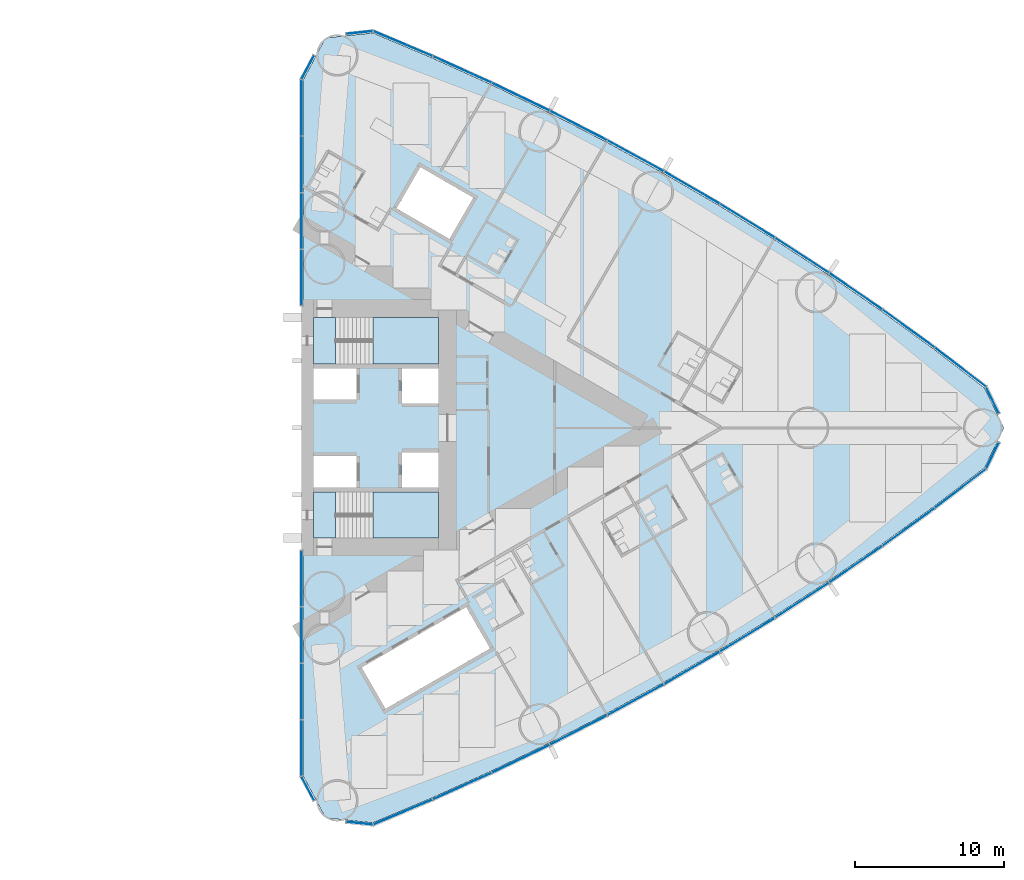
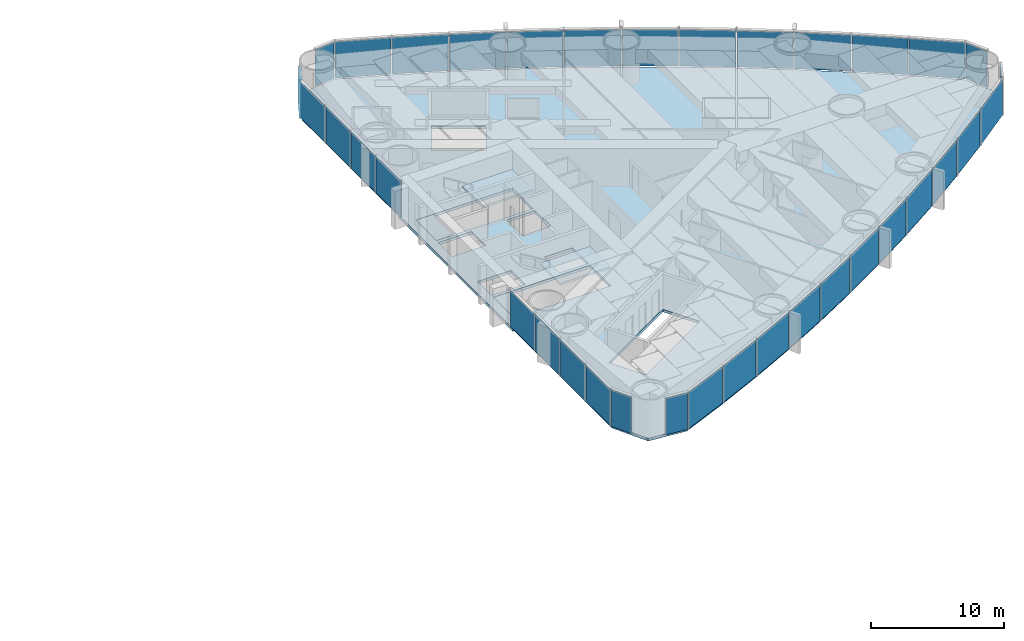
# One storey, part 10 of 18: 36 plates, 5 slabs, 6 elements without a shape of their own.
"""IFC4 building model written with IfcOpenShell, lengths in metres."""

from ifc_helpers import new_model, si_unit, direction, frame, origin, origin_2d, place, context, subcontext, project, spatial, polyline, rectangle, outline, extrude, material, layer, layer_set, type_object, element, aggregate, save


model = new_model("IFC4")

# Units and contexts
model_context = context("Model", 3, precision=1e-05, world=origin(), true_north=direction((0.0, 1.0)))
body_context = subcontext(model_context, "Body", "Model", "MODEL_VIEW")
ifc_project = project(units=[si_unit("LENGTHUNIT", "METRE"), si_unit("AREAUNIT", "SQUARE_METRE"), si_unit("VOLUMEUNIT", "CUBIC_METRE"), si_unit("PLANEANGLEUNIT", "RADIAN"), si_unit("MASSUNIT", "GRAM", prefix="KILO")], contexts=[model_context])

# Site, building, storey
site_placement = place(None, origin())
site = spatial("IfcSite", under=ifc_project, at=site_placement, CompositionType="ELEMENT")
building_placement = place(site_placement, origin())
building = spatial("IfcBuilding", under=site, at=building_placement, Name="Lancet Gate Hotel", CompositionType="ELEMENT")
storey_placement = place(building_placement, frame((0.0, 0.0, 49.5)))
storey = spatial("IfcBuildingStorey", under=building, at=storey_placement, Name="L12", CompositionType="ELEMENT", Elevation=49.5)

# Slab
ifc_material_1 = material(Name="Concrete C50/60", Category="concrete")
ifc_layer_1 = layer(ifc_material_1, 0.25)
ifc_layer_set_1 = layer_set([ifc_layer_1], Name="Floor slab 250")
slab_type_1 = type_object("IfcSlabType", Name="Floor slab 250", PredefinedType="FLOOR", material=ifc_layer_set_1)
slab_1_placement = place(storey_placement, frame((0.0, 0.0, -0.25)))
element("IfcSlab", 1, at=slab_1_placement, inside=storey, type_object=slab_type_1, Name="T2 L12 floor slab", PredefinedType="FLOOR", context=body_context, shape_type="SweptSolid", body=[
    extrude(outline(polyline([(27.5, -8.60009765625), (27.6201171875, -8.60009765625), (27.6201171875, -23.35498046875), (29.12158203125, -26.175537109375), (32.299072265625, -26.5048828125), (36.26708984375, -24.833740234375), (40.2177734375, -23.050048828125), (44.121826171875, -21.16650390625), (47.9765625, -19.18408203125), (51.77978515625, -17.104248046875), (55.528564453125, -14.92822265625), (59.220947265625, -12.657470703125), (62.854248046875, -10.29345703125), (66.42626953125, -7.837890625), (69.934814453125, -5.292236328125), (73.355712890625, -2.67431640625), (74.65576171875, 0.0), (73.355712890625, 2.67431640625), (69.934814453125, 5.292236328125), (66.42626953125, 7.837890625), (62.854248046875, 10.29345703125), (59.220947265625, 12.657470703125), (55.528564453125, 14.92822265625), (51.77978515625, 17.104248046875), (47.9765625, 19.18408203125), (44.121826171875, 21.16650390625), (40.2177734375, 23.050048828125), (36.26708984375, 24.833740234375), (32.299072265625, 26.5048828125), (29.12158203125, 26.175537109375), (27.6201171875, 23.35498046875), (27.6201171875, 8.60009765625), (27.5, 8.60009765625), (27.5, 8.199951171875), (27.5, -8.199951171875), (27.5, -8.60009765625)]), holes=[polyline([(36.699951171875, -7.39990234375), (36.699951171875, -4.300048828125), (28.300048828125, -4.300048828125), (28.300048828125, -7.39990234375), (36.699951171875, -7.39990234375)]), polyline([(28.300048828125, -4.0), (31.199951171875, -4.0), (31.199951171875, -1.89990234375), (28.300048828125, -1.89990234375), (28.300048828125, -4.0)]), polyline([(34.25, -4.0), (36.699951171875, -4.0), (36.699951171875, -1.64990234375), (34.25, -1.64990234375), (34.25, -4.0)]), polyline([(36.699951171875, 1.64990234375), (36.699951171875, 4.0), (34.25, 4.0), (34.25, 1.64990234375), (36.699951171875, 1.64990234375)]), polyline([(28.300048828125, 1.89990234375), (31.199951171875, 1.89990234375), (31.199951171875, 4.0), (28.300048828125, 4.0), (28.300048828125, 1.89990234375)]), polyline([(28.300048828125, 4.300048828125), (36.699951171875, 4.300048828125), (36.699951171875, 7.39990234375), (28.300048828125, 7.39990234375), (28.300048828125, 4.300048828125)]), polyline([(31.549072265625, -16.0810546875), (33.14892578125, -18.85205078125), (40.1640625, -14.802001953125), (38.56396484375, -12.031005859375), (31.549072265625, -16.0810546875)]), polyline([(33.887939453125, 14.73095703125), (37.43798828125, 12.680908203125), (39.0380859375, 15.451904296875), (35.488037109375, 17.501953125), (33.887939453125, 14.73095703125)])]), origin(), (0.0, 0.0, 1.0), 0.25),
])

# Stair, slabs
ifc_material_2 = material(Name="Exit stair 20 risers 1500")
stair_type = type_object("IfcStairType", Name="Exit stair 20 risers 1500", PredefinedType="HALF_TURN_STAIR", material=ifc_material_2)
stair_1_placement = place(storey_placement, origin())
stair_1 = element("IfcStair", 2, at=stair_1_placement, inside=storey, type_object=stair_type, Name="T2 stair 1 L12", PredefinedType="HALF_TURN_STAIR")
ifc_material_3 = material(Name="Concrete C40/50", Category="concrete")
ifc_layer_2 = layer(ifc_material_3, 0.199951171875)
ifc_layer_set_2 = layer_set([ifc_layer_2], Name="Stair landing 200")
slab_type_2 = type_object("IfcSlabType", Name="Stair landing 200", PredefinedType="LANDING", material=ifc_layer_set_2)
slab_2_placement = place(storey_placement, frame((0.0, 0.0, -0.199951171875)))
slab_2 = element("IfcSlab", 3, at=slab_2_placement, type_object=slab_type_2, Name="ST3 landing 1", PredefinedType="LANDING", context=body_context, shape_type="SweptSolid", body=[
    extrude(outline(polyline([(28.300048828125, -7.39990234375), (29.800048828125, -7.39990234375), (29.800048828125, -4.300048828125), (28.300048828125, -4.300048828125), (28.300048828125, -7.39990234375)])), origin(), (0.0, 0.0, 1.0), 0.199951171875),
])
slab_3_placement = place(storey_placement, frame((0.0, 0.0, 1.550048828125)))
slab_3 = element("IfcSlab", 4, at=slab_3_placement, type_object=slab_type_2, Name="ST3 landing 2", PredefinedType="LANDING", context=body_context, shape_type="SweptSolid", body=[
    extrude(outline(polyline([(32.320068359375, -7.39990234375), (36.699951171875, -7.39990234375), (36.699951171875, -4.300048828125), (32.320068359375, -4.300048828125), (32.320068359375, -7.39990234375)])), origin(), (0.0, 0.0, 1.0), 0.199951171875),
])
aggregate(stair_1, [slab_2, slab_3])

stair_2_placement = place(storey_placement, origin())
stair_2 = element("IfcStair", 5, at=stair_2_placement, inside=storey, type_object=stair_type, Name="T2 stair 2 L12", PredefinedType="HALF_TURN_STAIR")
slab_4_placement = place(storey_placement, frame((0.0, 0.0, -0.199951171875)))
slab_4 = element("IfcSlab", 6, at=slab_4_placement, type_object=slab_type_2, Name="ST4 landing 1", PredefinedType="LANDING", context=body_context, shape_type="SweptSolid", body=[
    extrude(outline(polyline([(28.300048828125, 4.300048828125), (29.800048828125, 4.300048828125), (29.800048828125, 7.39990234375), (28.300048828125, 7.39990234375), (28.300048828125, 4.300048828125)])), origin(), (0.0, 0.0, 1.0), 0.199951171875),
])
slab_5_placement = place(storey_placement, frame((0.0, 0.0, 1.550048828125)))
slab_5 = element("IfcSlab", 7, at=slab_5_placement, type_object=slab_type_2, Name="ST4 landing 2", PredefinedType="LANDING", context=body_context, shape_type="SweptSolid", body=[
    extrude(outline(polyline([(32.320068359375, 4.300048828125), (36.699951171875, 4.300048828125), (36.699951171875, 7.39990234375), (32.320068359375, 7.39990234375), (32.320068359375, 4.300048828125)])), origin(), (0.0, 0.0, 1.0), 0.199951171875),
])
aggregate(stair_2, [slab_4, slab_5])

# Curtain wall, plates
ifc_material_4 = material(Name="Aluminium curtain wall", Category="aluminium")
curtain_wall_type = type_object("IfcCurtainWallType", Name="Tower unitised curtain wall", PredefinedType="USERDEFINED", material=ifc_material_4)
curtain_wall_1_placement = place(storey_placement, origin())
curtain_wall_1 = element("IfcCurtainWall", 8, at=curtain_wall_1_placement, inside=storey, type_object=curtain_wall_type, Name="T2 L12 curtain wall 1", ObjectType="UNITISED CURTAIN WALL", PredefinedType="USERDEFINED")
ifc_material_5 = material(Name="Glass double glazed unit 8-16-6", Category="glass")
ifc_layer_3 = layer(ifc_material_5, 0.030029296875)
ifc_layer_set_3 = layer_set([ifc_layer_3], Name="Vision panel double glazed")
plate_type = type_object("IfcPlateType", Name="Vision panel double glazed", PredefinedType="CURTAIN_PANEL", material=ifc_layer_set_3)
plate_1_placement = place(storey_placement, frame((27.5, -10.09814453125, 0.0), z_axis=(0.0, 0.0, 1.0), x_axis=(0.0, -1.0, 0.0)))
plate_1 = element("IfcPlate", 9, at=plate_1_placement, type_object=plate_type, Name="T2 L12 curtain wall 1 panel 1", PredefinedType="CURTAIN_PANEL", context=body_context, shape_type="SweptSolid", body=[
    extrude(rectangle(XDim=3.731201171875, YDim=0.030029296875, at=origin_2d()), origin(), (0.0, 0.0, 1.0), 3.35009765625),
])
plate_2_placement = place(storey_placement, frame((27.5, -13.894287109375, 0.0), z_axis=(0.0, 0.0, 1.0), x_axis=(0.0, -1.0, 0.0)))
plate_2 = element("IfcPlate", 10, at=plate_2_placement, type_object=plate_type, Name="T2 L12 curtain wall 1 panel 2", PredefinedType="CURTAIN_PANEL", context=body_context, shape_type="SweptSolid", body=[
    extrude(rectangle(XDim=3.731201171875, YDim=0.030029296875, at=origin_2d()), origin(), (0.0, 0.0, 1.0), 3.35009765625),
])
plate_3_placement = place(storey_placement, frame((27.5, -17.6904296875, 0.0), z_axis=(0.0, 0.0, 1.0), x_axis=(0.0, -1.0, 0.0)))
plate_3 = element("IfcPlate", 11, at=plate_3_placement, type_object=plate_type, Name="T2 L12 curtain wall 1 panel 3", PredefinedType="CURTAIN_PANEL", context=body_context, shape_type="SweptSolid", body=[
    extrude(rectangle(XDim=3.731201171875, YDim=0.030029296875, at=origin_2d()), origin(), (0.0, 0.0, 1.0), 3.35009765625),
])
plate_4_placement = place(storey_placement, frame((27.5, -21.48681640625, 0.0), z_axis=(0.0, 0.0, 1.0), x_axis=(0.0, -1.0, 0.0)))
plate_4 = element("IfcPlate", 12, at=plate_4_placement, type_object=plate_type, Name="T2 L12 curtain wall 1 panel 4", PredefinedType="CURTAIN_PANEL", context=body_context, shape_type="SweptSolid", body=[
    extrude(rectangle(XDim=3.731201171875, YDim=0.030029296875, at=origin_2d()), origin(), (0.0, 0.0, 1.0), 3.35009765625),
])
plate_5_placement = place(storey_placement, frame((27.933349609375, -24.19873046875, 0.0), z_axis=(0.0, 0.0, 1.0), x_axis=(0.469897827284, -0.882720811987, 0.0)))
plate_5 = element("IfcPlate", 13, at=plate_5_placement, type_object=plate_type, Name="T2 L12 curtain wall 1 panel 5", PredefinedType="CURTAIN_PANEL", context=body_context, shape_type="SweptSolid", body=[
    extrude(rectangle(XDim=1.779052734375, YDim=0.030029296875, at=origin_2d()), origin(), (0.0, 0.0, 1.0), 3.35009765625),
])
aggregate(curtain_wall_1, [plate_1, plate_2, plate_3, plate_4, plate_5])

curtain_wall_2_placement = place(storey_placement, origin())
curtain_wall_2 = element("IfcCurtainWall", 14, at=curtain_wall_2_placement, inside=storey, type_object=curtain_wall_type, Name="T2 L12 curtain wall 2", ObjectType="UNITISED CURTAIN WALL", PredefinedType="USERDEFINED")
plate_6_placement = place(storey_placement, frame((31.400634765625, -26.532470703125, 0.0), z_axis=(0.0, 0.0, 1.0), x_axis=(0.994672262412, -0.10308778001, 0.0)))
plate_6 = element("IfcPlate", 15, at=plate_6_placement, type_object=plate_type, Name="T2 L12 curtain wall 2 panel 1", PredefinedType="CURTAIN_PANEL", context=body_context, shape_type="SweptSolid", body=[
    extrude(rectangle(XDim=1.7783203125, YDim=0.030029296875, at=origin_2d()), origin(), (0.0, 0.0, 1.0), 3.35009765625),
])
plate_7_placement = place(storey_placement, frame((34.316162109375, -25.78564453125, 0.0), z_axis=(0.0, 0.0, 1.0), x_axis=(0.92159330598, 0.38815689917, 0.0)))
plate_7 = element("IfcPlate", 16, at=plate_7_placement, type_object=plate_type, Name="T2 L12 curtain wall 2 panel 2", PredefinedType="CURTAIN_PANEL", context=body_context, shape_type="SweptSolid", body=[
    extrude(rectangle(XDim=4.272705078125, YDim=0.030029296875, at=origin_2d()), origin(), (0.0, 0.0, 1.0), 3.35009765625),
])
plate_8_placement = place(storey_placement, frame((38.291748046875, -24.05126953125, 0.0), z_axis=(0.0, 0.0, 1.0), x_axis=(0.911415640556, 0.41148697446, 0.0)))
plate_8 = element("IfcPlate", 17, at=plate_8_placement, type_object=plate_type, Name="T2 L12 curtain wall 2 panel 3", PredefinedType="CURTAIN_PANEL", context=body_context, shape_type="SweptSolid", body=[
    extrude(rectangle(XDim=4.272705078125, YDim=0.030029296875, at=origin_2d()), origin(), (0.0, 0.0, 1.0), 3.35009765625),
])
plate_9_placement = place(storey_placement, frame((42.221923828125, -22.21630859375, 0.0), z_axis=(0.0, 0.0, 1.0), x_axis=(0.90064748964, 0.434550456686, 0.0)))
plate_9 = element("IfcPlate", 18, at=plate_9_placement, type_object=plate_type, Name="T2 L12 curtain wall 2 panel 4", PredefinedType="CURTAIN_PANEL", context=body_context, shape_type="SweptSolid", body=[
    extrude(rectangle(XDim=4.272705078125, YDim=0.030029296875, at=origin_2d()), origin(), (0.0, 0.0, 1.0), 3.35009765625),
])
plate_10_placement = place(storey_placement, frame((46.10400390625, -20.281982421875, 0.0), z_axis=(0.0, 0.0, 1.0), x_axis=(0.889295829671, 0.457332403541, 0.0)))
plate_10 = element("IfcPlate", 19, at=plate_10_placement, type_object=plate_type, Name="T2 L12 curtain wall 2 panel 5", PredefinedType="CURTAIN_PANEL", context=body_context, shape_type="SweptSolid", body=[
    extrude(rectangle(XDim=4.272705078125, YDim=0.030029296875, at=origin_2d()), origin(), (0.0, 0.0, 1.0), 3.35009765625),
])
plate_11_placement = place(storey_placement, frame((49.935791015625, -18.249267578125, 0.0), z_axis=(0.0, 0.0, 1.0), x_axis=(0.877368015134, 0.47981805512, 0.0)))
plate_11 = element("IfcPlate", 20, at=plate_11_placement, type_object=plate_type, Name="T2 L12 curtain wall 2 panel 6", PredefinedType="CURTAIN_PANEL", context=body_context, shape_type="SweptSolid", body=[
    extrude(rectangle(XDim=4.272705078125, YDim=0.030029296875, at=origin_2d()), origin(), (0.0, 0.0, 1.0), 3.35009765625),
])
plate_12_placement = place(storey_placement, frame((53.71435546875, -16.119873046875, 0.0), z_axis=(0.0, 0.0, 1.0), x_axis=(0.864871773788, 0.501992843479, 0.0)))
plate_12 = element("IfcPlate", 21, at=plate_12_placement, type_object=plate_type, Name="T2 L12 curtain wall 2 panel 7", PredefinedType="CURTAIN_PANEL", context=body_context, shape_type="SweptSolid", body=[
    extrude(rectangle(XDim=4.272705078125, YDim=0.030029296875, at=origin_2d()), origin(), (0.0, 0.0, 1.0), 3.35009765625),
])
plate_13_placement = place(storey_placement, frame((57.437744140625, -13.89501953125, 0.0), z_axis=(0.0, 0.0, 1.0), x_axis=(0.851815201664, 0.523842402077, 0.0)))
plate_13 = element("IfcPlate", 22, at=plate_13_placement, type_object=plate_type, Name="T2 L12 curtain wall 2 panel 8", PredefinedType="CURTAIN_PANEL", context=body_context, shape_type="SweptSolid", body=[
    extrude(rectangle(XDim=4.272705078125, YDim=0.030029296875, at=origin_2d()), origin(), (0.0, 0.0, 1.0), 3.35009765625),
])
plate_14_placement = place(storey_placement, frame((61.10302734375, -11.576171875, 0.0), z_axis=(0.0, 0.0, 1.0), x_axis=(0.838206757819, 0.54535257508, 0.0)))
plate_14 = element("IfcPlate", 23, at=plate_14_placement, type_object=plate_type, Name="T2 L12 curtain wall 2 panel 9", PredefinedType="CURTAIN_PANEL", context=body_context, shape_type="SweptSolid", body=[
    extrude(rectangle(XDim=4.272705078125, YDim=0.030029296875, at=origin_2d()), origin(), (0.0, 0.0, 1.0), 3.35009765625),
])
plate_15_placement = place(storey_placement, frame((64.708251953125, -9.16455078125, 0.0), z_axis=(0.0, 0.0, 1.0), x_axis=(0.824055258853, 0.566509426538, 0.0)))
plate_15 = element("IfcPlate", 24, at=plate_15_placement, type_object=plate_type, Name="T2 L12 curtain wall 2 panel 10", PredefinedType="CURTAIN_PANEL", context=body_context, shape_type="SweptSolid", body=[
    extrude(rectangle(XDim=4.272705078125, YDim=0.030029296875, at=origin_2d()), origin(), (0.0, 0.0, 1.0), 3.35009765625),
])
plate_16_placement = place(storey_placement, frame((68.2509765625, -6.662109375, 0.0), z_axis=(0.0, 0.0, 1.0), x_axis=(0.809369873203, 0.587299249405, 0.0)))
plate_16 = element("IfcPlate", 25, at=plate_16_placement, type_object=plate_type, Name="T2 L12 curtain wall 2 panel 11", PredefinedType="CURTAIN_PANEL", context=body_context, shape_type="SweptSolid", body=[
    extrude(rectangle(XDim=4.272705078125, YDim=0.030029296875, at=origin_2d()), origin(), (0.0, 0.0, 1.0), 3.35009765625),
])
plate_17_placement = place(storey_placement, frame((71.72900390625, -4.0703125, 0.0), z_axis=(0.0, 0.0, 1.0), x_axis=(0.794160115195, 0.607708574428, 0.0)))
plate_17 = element("IfcPlate", 26, at=plate_17_placement, type_object=plate_type, Name="T2 L12 curtain wall 2 panel 12", PredefinedType="CURTAIN_PANEL", context=body_context, shape_type="SweptSolid", body=[
    extrude(rectangle(XDim=4.272705078125, YDim=0.030029296875, at=origin_2d()), origin(), (0.0, 0.0, 1.0), 3.35009765625),
])
plate_18_placement = place(storey_placement, frame((73.88671875, -1.856201171875, 0.0), z_axis=(0.0, 0.0, 1.0), x_axis=(0.437169070119, 0.899379343843, 0.0)))
plate_18 = element("IfcPlate", 27, at=plate_18_placement, type_object=plate_type, Name="T2 L12 curtain wall 2 panel 13", PredefinedType="CURTAIN_PANEL", context=body_context, shape_type="SweptSolid", body=[
    extrude(rectangle(XDim=1.92724609375, YDim=0.030029296875, at=origin_2d()), origin(), (0.0, 0.0, 1.0), 3.35009765625),
])
aggregate(curtain_wall_2, [plate_6, plate_7, plate_8, plate_9, plate_10, plate_11, plate_12, plate_13, plate_14, plate_15, plate_16, plate_17, plate_18])

curtain_wall_3_placement = place(storey_placement, origin())
curtain_wall_3 = element("IfcCurtainWall", 28, at=curtain_wall_3_placement, inside=storey, type_object=curtain_wall_type, Name="T2 L12 curtain wall 3", ObjectType="UNITISED CURTAIN WALL", PredefinedType="USERDEFINED")
plate_19_placement = place(storey_placement, frame((73.88671875, 1.856201171875, 0.0), z_axis=(0.0, 0.0, 1.0), x_axis=(-0.437169070119, 0.899379343843, 0.0)))
plate_19 = element("IfcPlate", 29, at=plate_19_placement, type_object=plate_type, Name="T2 L12 curtain wall 3 panel 1", PredefinedType="CURTAIN_PANEL", context=body_context, shape_type="SweptSolid", body=[
    extrude(rectangle(XDim=1.92724609375, YDim=0.030029296875, at=origin_2d()), origin(), (0.0, 0.0, 1.0), 3.35009765625),
])
plate_20_placement = place(storey_placement, frame((71.72900390625, 4.0703125, 0.0), z_axis=(0.0, 0.0, 1.0), x_axis=(-0.794160115195, 0.607708574428, 0.0)))
plate_20 = element("IfcPlate", 30, at=plate_20_placement, type_object=plate_type, Name="T2 L12 curtain wall 3 panel 2", PredefinedType="CURTAIN_PANEL", context=body_context, shape_type="SweptSolid", body=[
    extrude(rectangle(XDim=4.272705078125, YDim=0.030029296875, at=origin_2d()), origin(), (0.0, 0.0, 1.0), 3.35009765625),
])
plate_21_placement = place(storey_placement, frame((68.2509765625, 6.662109375, 0.0), z_axis=(0.0, 0.0, 1.0), x_axis=(-0.809369873203, 0.587299249405, 0.0)))
plate_21 = element("IfcPlate", 31, at=plate_21_placement, type_object=plate_type, Name="T2 L12 curtain wall 3 panel 3", PredefinedType="CURTAIN_PANEL", context=body_context, shape_type="SweptSolid", body=[
    extrude(rectangle(XDim=4.272705078125, YDim=0.030029296875, at=origin_2d()), origin(), (0.0, 0.0, 1.0), 3.35009765625),
])
plate_22_placement = place(storey_placement, frame((64.708251953125, 9.16455078125, 0.0), z_axis=(0.0, 0.0, 1.0), x_axis=(-0.824055258853, 0.566509426538, 0.0)))
plate_22 = element("IfcPlate", 32, at=plate_22_placement, type_object=plate_type, Name="T2 L12 curtain wall 3 panel 4", PredefinedType="CURTAIN_PANEL", context=body_context, shape_type="SweptSolid", body=[
    extrude(rectangle(XDim=4.272705078125, YDim=0.030029296875, at=origin_2d()), origin(), (0.0, 0.0, 1.0), 3.35009765625),
])
plate_23_placement = place(storey_placement, frame((61.10302734375, 11.576171875, 0.0), z_axis=(0.0, 0.0, 1.0), x_axis=(-0.838206757819, 0.54535257508, 0.0)))
plate_23 = element("IfcPlate", 33, at=plate_23_placement, type_object=plate_type, Name="T2 L12 curtain wall 3 panel 5", PredefinedType="CURTAIN_PANEL", context=body_context, shape_type="SweptSolid", body=[
    extrude(rectangle(XDim=4.272705078125, YDim=0.030029296875, at=origin_2d()), origin(), (0.0, 0.0, 1.0), 3.35009765625),
])
plate_24_placement = place(storey_placement, frame((57.437744140625, 13.89501953125, 0.0), z_axis=(0.0, 0.0, 1.0), x_axis=(-0.851815201664, 0.523842402077, 0.0)))
plate_24 = element("IfcPlate", 34, at=plate_24_placement, type_object=plate_type, Name="T2 L12 curtain wall 3 panel 6", PredefinedType="CURTAIN_PANEL", context=body_context, shape_type="SweptSolid", body=[
    extrude(rectangle(XDim=4.272705078125, YDim=0.030029296875, at=origin_2d()), origin(), (0.0, 0.0, 1.0), 3.35009765625),
])
plate_25_placement = place(storey_placement, frame((53.71435546875, 16.119873046875, 0.0), z_axis=(0.0, 0.0, 1.0), x_axis=(-0.864871773788, 0.501992843479, 0.0)))
plate_25 = element("IfcPlate", 35, at=plate_25_placement, type_object=plate_type, Name="T2 L12 curtain wall 3 panel 7", PredefinedType="CURTAIN_PANEL", context=body_context, shape_type="SweptSolid", body=[
    extrude(rectangle(XDim=4.272705078125, YDim=0.030029296875, at=origin_2d()), origin(), (0.0, 0.0, 1.0), 3.35009765625),
])
plate_26_placement = place(storey_placement, frame((49.935791015625, 18.249267578125, 0.0), z_axis=(0.0, 0.0, 1.0), x_axis=(-0.877368015134, 0.47981805512, 0.0)))
plate_26 = element("IfcPlate", 36, at=plate_26_placement, type_object=plate_type, Name="T2 L12 curtain wall 3 panel 8", PredefinedType="CURTAIN_PANEL", context=body_context, shape_type="SweptSolid", body=[
    extrude(rectangle(XDim=4.272705078125, YDim=0.030029296875, at=origin_2d()), origin(), (0.0, 0.0, 1.0), 3.35009765625),
])
plate_27_placement = place(storey_placement, frame((46.10400390625, 20.281982421875, 0.0), z_axis=(0.0, 0.0, 1.0), x_axis=(-0.889295829671, 0.457332403541, 0.0)))
plate_27 = element("IfcPlate", 37, at=plate_27_placement, type_object=plate_type, Name="T2 L12 curtain wall 3 panel 9", PredefinedType="CURTAIN_PANEL", context=body_context, shape_type="SweptSolid", body=[
    extrude(rectangle(XDim=4.272705078125, YDim=0.030029296875, at=origin_2d()), origin(), (0.0, 0.0, 1.0), 3.35009765625),
])
plate_28_placement = place(storey_placement, frame((42.221923828125, 22.21630859375, 0.0), z_axis=(0.0, 0.0, 1.0), x_axis=(-0.90064748964, 0.434550456686, 0.0)))
plate_28 = element("IfcPlate", 38, at=plate_28_placement, type_object=plate_type, Name="T2 L12 curtain wall 3 panel 10", PredefinedType="CURTAIN_PANEL", context=body_context, shape_type="SweptSolid", body=[
    extrude(rectangle(XDim=4.272705078125, YDim=0.030029296875, at=origin_2d()), origin(), (0.0, 0.0, 1.0), 3.35009765625),
])
plate_29_placement = place(storey_placement, frame((38.291748046875, 24.05126953125, 0.0), z_axis=(0.0, 0.0, 1.0), x_axis=(-0.911415640556, 0.41148697446, 0.0)))
plate_29 = element("IfcPlate", 39, at=plate_29_placement, type_object=plate_type, Name="T2 L12 curtain wall 3 panel 11", PredefinedType="CURTAIN_PANEL", context=body_context, shape_type="SweptSolid", body=[
    extrude(rectangle(XDim=4.272705078125, YDim=0.030029296875, at=origin_2d()), origin(), (0.0, 0.0, 1.0), 3.35009765625),
])
plate_30_placement = place(storey_placement, frame((34.316162109375, 25.78564453125, 0.0), z_axis=(0.0, 0.0, 1.0), x_axis=(-0.92159330598, 0.38815689917, 0.0)))
plate_30 = element("IfcPlate", 40, at=plate_30_placement, type_object=plate_type, Name="T2 L12 curtain wall 3 panel 12", PredefinedType="CURTAIN_PANEL", context=body_context, shape_type="SweptSolid", body=[
    extrude(rectangle(XDim=4.272705078125, YDim=0.030029296875, at=origin_2d()), origin(), (0.0, 0.0, 1.0), 3.35009765625),
])
plate_31_placement = place(storey_placement, frame((31.400634765625, 26.532470703125, 0.0), z_axis=(0.0, 0.0, 1.0), x_axis=(-0.994672262412, -0.10308778001, 0.0)))
plate_31 = element("IfcPlate", 41, at=plate_31_placement, type_object=plate_type, Name="T2 L12 curtain wall 3 panel 13", PredefinedType="CURTAIN_PANEL", context=body_context, shape_type="SweptSolid", body=[
    extrude(rectangle(XDim=1.7783203125, YDim=0.030029296875, at=origin_2d()), origin(), (0.0, 0.0, 1.0), 3.35009765625),
])
aggregate(curtain_wall_3, [plate_19, plate_20, plate_21, plate_22, plate_23, plate_24, plate_25, plate_26, plate_27, plate_28, plate_29, plate_30, plate_31])

curtain_wall_4_placement = place(storey_placement, origin())
curtain_wall_4 = element("IfcCurtainWall", 42, at=curtain_wall_4_placement, inside=storey, type_object=curtain_wall_type, Name="T2 L12 curtain wall 4", ObjectType="UNITISED CURTAIN WALL", PredefinedType="USERDEFINED")
plate_32_placement = place(storey_placement, frame((27.933349609375, 24.19873046875, 0.0), z_axis=(0.0, 0.0, 1.0), x_axis=(-0.469897827284, -0.882720811987, 0.0)))
plate_32 = element("IfcPlate", 43, at=plate_32_placement, type_object=plate_type, Name="T2 L12 curtain wall 4 panel 1", PredefinedType="CURTAIN_PANEL", context=body_context, shape_type="SweptSolid", body=[
    extrude(rectangle(XDim=1.779052734375, YDim=0.030029296875, at=origin_2d()), origin(), (0.0, 0.0, 1.0), 3.35009765625),
])
plate_33_placement = place(storey_placement, frame((27.5, 21.48681640625, 0.0), z_axis=(0.0, 0.0, 1.0), x_axis=(0.0, -1.0, 0.0)))
plate_33 = element("IfcPlate", 44, at=plate_33_placement, type_object=plate_type, Name="T2 L12 curtain wall 4 panel 2", PredefinedType="CURTAIN_PANEL", context=body_context, shape_type="SweptSolid", body=[
    extrude(rectangle(XDim=3.731201171875, YDim=0.030029296875, at=origin_2d()), origin(), (0.0, 0.0, 1.0), 3.35009765625),
])
plate_34_placement = place(storey_placement, frame((27.5, 17.6904296875, 0.0), z_axis=(0.0, 0.0, 1.0), x_axis=(0.0, -1.0, 0.0)))
plate_34 = element("IfcPlate", 45, at=plate_34_placement, type_object=plate_type, Name="T2 L12 curtain wall 4 panel 3", PredefinedType="CURTAIN_PANEL", context=body_context, shape_type="SweptSolid", body=[
    extrude(rectangle(XDim=3.731201171875, YDim=0.030029296875, at=origin_2d()), origin(), (0.0, 0.0, 1.0), 3.35009765625),
])
plate_35_placement = place(storey_placement, frame((27.5, 13.894287109375, 0.0), z_axis=(0.0, 0.0, 1.0), x_axis=(0.0, -1.0, 0.0)))
plate_35 = element("IfcPlate", 46, at=plate_35_placement, type_object=plate_type, Name="T2 L12 curtain wall 4 panel 4", PredefinedType="CURTAIN_PANEL", context=body_context, shape_type="SweptSolid", body=[
    extrude(rectangle(XDim=3.731201171875, YDim=0.030029296875, at=origin_2d()), origin(), (0.0, 0.0, 1.0), 3.35009765625),
])
plate_36_placement = place(storey_placement, frame((27.5, 10.09814453125, 0.0), z_axis=(0.0, 0.0, 1.0), x_axis=(0.0, -1.0, 0.0)))
plate_36 = element("IfcPlate", 47, at=plate_36_placement, type_object=plate_type, Name="T2 L12 curtain wall 4 panel 5", PredefinedType="CURTAIN_PANEL", context=body_context, shape_type="SweptSolid", body=[
    extrude(rectangle(XDim=3.731201171875, YDim=0.030029296875, at=origin_2d()), origin(), (0.0, 0.0, 1.0), 3.35009765625),
])
aggregate(curtain_wall_4, [plate_32, plate_33, plate_34, plate_35, plate_36])

save(model, "model.ifc")
